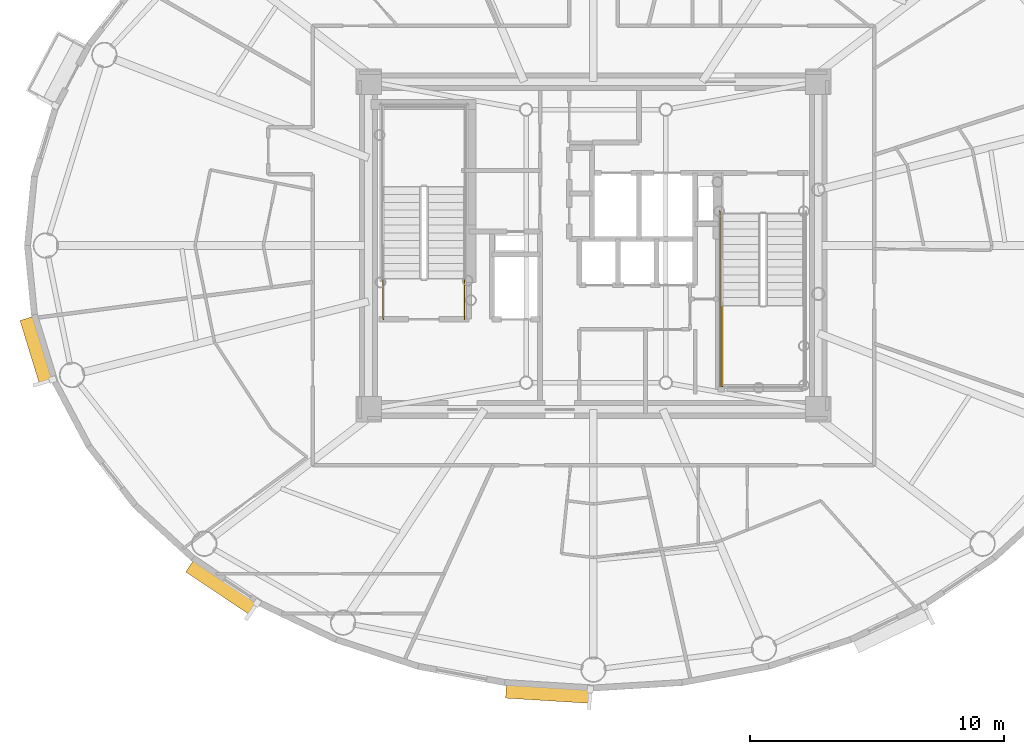
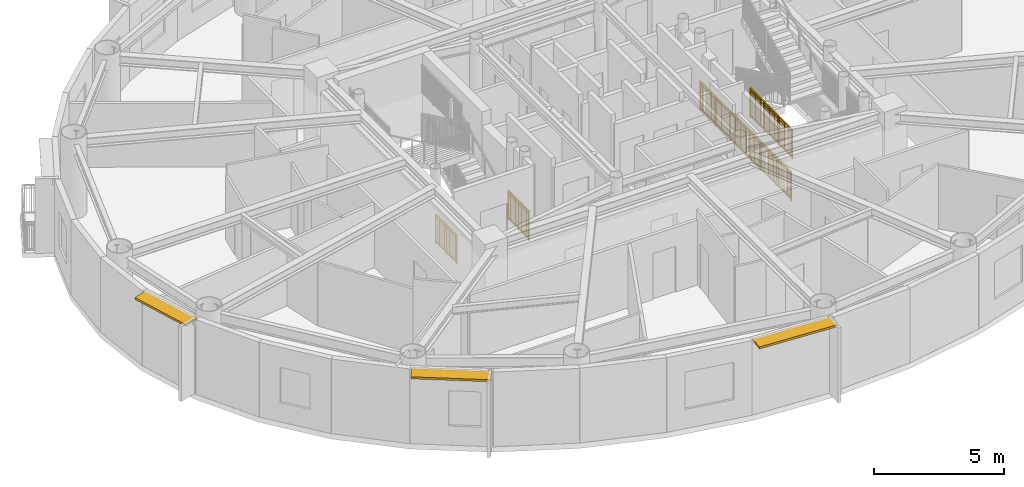
# One storey, part 10 of 17: 4 railings, 3 shading devices.
"""IFC4 building model written with IfcOpenShell, lengths in metres."""

from ifc_helpers import new_model, si_unit, direction, frame, origin, origin_2d, place, context, subcontext, project, spatial, rectangle, extrude, source, transform, mapped, material, layer, layer_set, type_object, element, save


model = new_model("IFC4")

# Units and contexts
model_context = context("Model", 3, precision=1e-05, world=origin(), true_north=direction((0.0, 1.0)))
body_context = subcontext(model_context, "Body", "Model", "MODEL_VIEW")
ifc_project = project(units=[si_unit("LENGTHUNIT", "METRE"), si_unit("AREAUNIT", "SQUARE_METRE"), si_unit("VOLUMEUNIT", "CUBIC_METRE"), si_unit("PLANEANGLEUNIT", "RADIAN"), si_unit("MASSUNIT", "GRAM", prefix="KILO")], contexts=[model_context])

# Site, building, storey
site_placement = place(None, origin())
site = spatial("IfcSite", under=ifc_project, at=site_placement, CompositionType="ELEMENT")
building_placement = place(site_placement, origin())
building = spatial("IfcBuilding", under=site, at=building_placement, Name="Linh Dai School and Residence Tower", CompositionType="ELEMENT")
storey_placement = place(building_placement, frame((0.0, 0.0, 303.0)))
storey = spatial("IfcBuildingStorey", under=building, at=storey_placement, Name="L75", CompositionType="ELEMENT", Elevation=303.0)

# Shading devices
ifc_material_1 = material(Name="Terracotta Ceramic Sunshade", Category="masonry")
ifc_layer = layer(ifc_material_1, 0.10009765625)
ifc_layer_set = layer_set([ifc_layer], Name="Terracotta Ceramic Sunshade")
shading_device_type = type_object("IfcShadingDeviceType", Name="SHD-TC-650", PredefinedType="USERDEFINED", material=ifc_layer_set)
shared_shape_1 = source(origin(), body_context, "Body", "SweptSolid", [
    extrude(rectangle(XDim=2.6640625, YDim=0.64990234375, at=origin_2d()), origin(), (0.0, 0.0, 1.0), 0.10009765625),
])
shading_device_1_placement = place(storey_placement, frame((14.132568359375, 22.870849609375, 3.3798828125), z_axis=(0.0, 0.0, 1.0), x_axis=(-0.293140945944, 0.956069236934, 0.0)))
element("IfcShadingDevice", 1, at=shading_device_1_placement, inside=storey, type_object=shading_device_type, Name="L75 Terracotta Horizontal Sunshade Band 22", ObjectType="SUNSHADE", PredefinedType="USERDEFINED", context=body_context, shape_type="MappedRepresentation", body=[
    mapped(shared_shape_1, transform((0.0, 0.0, 0.0), x_axis=(1.0, 0.0, 0.0), y_axis=(0.0, 1.0, 0.0), z_axis=(0.0, 0.0, 1.0), scale=1.0)),
])
shared_shape_2 = source(origin(), body_context, "Body", "SweptSolid", [
    extrude(rectangle(XDim=3.069091796875, YDim=0.64990234375, at=origin_2d()), origin(), (0.0, 0.0, 1.0), 0.10009765625),
])
shading_device_2_placement = place(storey_placement, frame((21.408203125, 13.5703125, 3.3798828125), z_axis=(0.0, 0.0, 1.0), x_axis=(-0.831245318631, 0.555905765624, 0.0)))
element("IfcShadingDevice", 2, at=shading_device_2_placement, inside=storey, type_object=shading_device_type, Name="L75 Terracotta Horizontal Sunshade Band 26", ObjectType="SUNSHADE", PredefinedType="USERDEFINED", context=body_context, shape_type="MappedRepresentation", body=[
    mapped(shared_shape_2, transform((0.0, 0.0, 0.0), x_axis=(1.0, 0.0, 0.0), y_axis=(0.0, 1.0, 0.0), z_axis=(0.0, 0.0, 1.0), scale=1.0)),
])
shared_shape_3 = source(origin(), body_context, "Body", "SweptSolid", [
    extrude(rectangle(XDim=3.355712890625, YDim=0.64990234375, at=origin_2d()), origin(), (0.0, 0.0, 1.0), 0.10009765625),
])
shading_device_3_placement = place(storey_placement, frame((34.238037109375, 9.407958984375, 3.3798828125), z_axis=(0.0, 0.0, 1.0), x_axis=(-0.998106469364, 0.061509965157, 0.0)))
element("IfcShadingDevice", 3, at=shading_device_3_placement, inside=storey, type_object=shading_device_type, Name="L75 Terracotta Horizontal Sunshade Band 30", ObjectType="SUNSHADE", PredefinedType="USERDEFINED", context=body_context, shape_type="MappedRepresentation", body=[
    mapped(shared_shape_3, transform((0.0, 0.0, 0.0), x_axis=(1.0, 0.0, 0.0), y_axis=(0.0, 1.0, 0.0), z_axis=(0.0, 0.0, 1.0), scale=1.0)),
])

# Railings
ifc_material_2 = material(Name="Structural Steel S355JR", Category="steel")
railing_type = type_object("IfcRailingType", Name="RL-ST-GUARD-1400", PredefinedType="GUARDRAIL", material=ifc_material_2)
shared_shape_4 = source(origin(), body_context, "Body", "SweptSolid", [
    extrude(rectangle(XDim=0.048095703125, YDim=0.048095703125, at=origin_2d()), frame((0.0, 0.0, 1.3759765625), z_axis=(0.0, 1.0, 0.0), x_axis=(-1.0, 0.0, 0.0)), (0.0, 0.0, 1.0), 1.599853515625),
    extrude(rectangle(XDim=0.048095703125, YDim=0.048095703125, at=origin_2d()), frame((0.0, 0.0, 0.10009765625), z_axis=(0.0, 1.0, 0.0), x_axis=(-1.0, 0.0, 0.0)), (0.0, 0.0, 1.0), 1.599853515625),
    extrude(rectangle(XDim=0.030029296875, YDim=0.030029296875, at=origin_2d()), frame((0.0, 0.0, 1.239990234375), z_axis=(0.0, 1.0, 0.0), x_axis=(-1.0, 0.0, 0.0)), (0.0, 0.0, 1.0), 1.599853515625),
    extrude(rectangle(XDim=0.02001953125, YDim=0.02001953125, at=origin_2d()), frame((0.0, 0.093994140625, 0.10009765625)), (0.0, 0.0, 1.0), 1.251708984375),
    extrude(rectangle(XDim=0.02001953125, YDim=0.02001953125, at=origin_2d()), frame((0.0, 0.188232421875, 0.10009765625)), (0.0, 0.0, 1.0), 1.251708984375),
    extrude(rectangle(XDim=0.02001953125, YDim=0.02001953125, at=origin_2d()), frame((0.0, 0.2822265625, 0.10009765625)), (0.0, 0.0, 1.0), 1.251708984375),
    extrude(rectangle(XDim=0.02001953125, YDim=0.02001953125, at=origin_2d()), frame((0.0, 0.37646484375, 0.10009765625)), (0.0, 0.0, 1.0), 1.251708984375),
    extrude(rectangle(XDim=0.02001953125, YDim=0.02001953125, at=origin_2d()), frame((0.0, 0.470458984375, 0.10009765625)), (0.0, 0.0, 1.0), 1.251708984375),
    extrude(rectangle(XDim=0.02001953125, YDim=0.02001953125, at=origin_2d()), frame((0.0, 0.564697265625, 0.10009765625)), (0.0, 0.0, 1.0), 1.251708984375),
    extrude(rectangle(XDim=0.02001953125, YDim=0.02001953125, at=origin_2d()), frame((0.0, 0.65869140625, 0.10009765625)), (0.0, 0.0, 1.0), 1.251708984375),
    extrude(rectangle(XDim=0.02001953125, YDim=0.02001953125, at=origin_2d()), frame((0.0, 0.7529296875, 0.10009765625)), (0.0, 0.0, 1.0), 1.251708984375),
    extrude(rectangle(XDim=0.02001953125, YDim=0.02001953125, at=origin_2d()), frame((0.0, 0.846923828125, 0.10009765625)), (0.0, 0.0, 1.0), 1.251708984375),
    extrude(rectangle(XDim=0.02001953125, YDim=0.02001953125, at=origin_2d()), frame((0.0, 0.941162109375, 0.10009765625)), (0.0, 0.0, 1.0), 1.251708984375),
    extrude(rectangle(XDim=0.02001953125, YDim=0.02001953125, at=origin_2d()), frame((0.0, 1.03515625, 0.10009765625)), (0.0, 0.0, 1.0), 1.251708984375),
    extrude(rectangle(XDim=0.02001953125, YDim=0.02001953125, at=origin_2d()), frame((0.0, 1.12939453125, 0.10009765625)), (0.0, 0.0, 1.0), 1.251708984375),
    extrude(rectangle(XDim=0.02001953125, YDim=0.02001953125, at=origin_2d()), frame((0.0, 1.223388671875, 0.10009765625)), (0.0, 0.0, 1.0), 1.251708984375),
    extrude(rectangle(XDim=0.02001953125, YDim=0.02001953125, at=origin_2d()), frame((0.0, 1.317626953125, 0.10009765625)), (0.0, 0.0, 1.0), 1.251708984375),
    extrude(rectangle(XDim=0.02001953125, YDim=0.02001953125, at=origin_2d()), frame((0.0, 1.41162109375, 0.10009765625)), (0.0, 0.0, 1.0), 1.251708984375),
    extrude(rectangle(XDim=0.02001953125, YDim=0.02001953125, at=origin_2d()), frame((0.0, 1.505859375, 0.10009765625)), (0.0, 0.0, 1.0), 1.251708984375),
    extrude(rectangle(XDim=0.0419921875, YDim=0.0419921875, at=origin_2d()), origin(), (0.0, 0.0, 1.0), 1.3759765625),
    extrude(rectangle(XDim=0.0419921875, YDim=0.0419921875, at=origin_2d()), frame((0.0, 0.7998046875, 0.0)), (0.0, 0.0, 1.0), 1.3759765625),
    extrude(rectangle(XDim=0.0419921875, YDim=0.0419921875, at=origin_2d()), frame((0.0, 1.599853515625, 0.0)), (0.0, 0.0, 1.0), 1.3759765625),
])
for number, where, name in (
    (4, (30.929931640625, 24.10009765625, 0.0), "L75 ST1 stair guard 8"),
    (5, (27.72998046875, 24.10009765625, 0.0), "L75 ST1 stair guard 9"),
):
    element("IfcRailing", number, at=place(storey_placement, frame(where)), inside=storey, type_object=railing_type, Name=name, PredefinedType="GUARDRAIL", context=body_context, shape_type="MappedRepresentation", body=[
        mapped(shared_shape_4, transform((0.0, 0.0, 0.0), x_axis=(1.0, 0.0, 0.0), y_axis=(0.0, 1.0, 0.0), z_axis=(0.0, 0.0, 1.0), scale=1.0)),
    ])
shared_shape_5 = source(origin(), body_context, "Body", "SweptSolid", [
    extrude(rectangle(XDim=0.048095703125, YDim=0.048095703125, at=origin_2d()), frame((0.0, 0.0, 1.3759765625), z_axis=(0.0, -1.0, 0.0), x_axis=(1.0, 0.0, 0.0)), (0.0, 0.0, 1.0), 7.0),
    extrude(rectangle(XDim=0.048095703125, YDim=0.048095703125, at=origin_2d()), frame((0.0, 0.0, 0.10009765625), z_axis=(0.0, -1.0, 0.0), x_axis=(1.0, 0.0, 0.0)), (0.0, 0.0, 1.0), 7.0),
    extrude(rectangle(XDim=0.030029296875, YDim=0.030029296875, at=origin_2d()), frame((0.0, 0.0, 1.239990234375), z_axis=(0.0, -1.0, 0.0), x_axis=(1.0, 0.0, 0.0)), (0.0, 0.0, 1.0), 7.0),
    extrude(rectangle(XDim=0.02001953125, YDim=0.02001953125, at=origin_2d()), frame((0.0, -0.09716796875, 0.10009765625)), (0.0, 0.0, 1.0), 1.251708984375),
    extrude(rectangle(XDim=0.02001953125, YDim=0.02001953125, at=origin_2d()), frame((0.0, -0.1943359375, 0.10009765625)), (0.0, 0.0, 1.0), 1.251708984375),
    extrude(rectangle(XDim=0.02001953125, YDim=0.02001953125, at=origin_2d()), frame((0.0, -0.291748046875, 0.10009765625)), (0.0, 0.0, 1.0), 1.251708984375),
    extrude(rectangle(XDim=0.02001953125, YDim=0.02001953125, at=origin_2d()), frame((0.0, -0.388916015625, 0.10009765625)), (0.0, 0.0, 1.0), 1.251708984375),
    extrude(rectangle(XDim=0.02001953125, YDim=0.02001953125, at=origin_2d()), frame((0.0, -0.486083984375, 0.10009765625)), (0.0, 0.0, 1.0), 1.251708984375),
    extrude(rectangle(XDim=0.02001953125, YDim=0.02001953125, at=origin_2d()), frame((0.0, -0.583251953125, 0.10009765625)), (0.0, 0.0, 1.0), 1.251708984375),
    extrude(rectangle(XDim=0.02001953125, YDim=0.02001953125, at=origin_2d()), frame((0.0, -0.6806640625, 0.10009765625)), (0.0, 0.0, 1.0), 1.251708984375),
    extrude(rectangle(XDim=0.02001953125, YDim=0.02001953125, at=origin_2d()), frame((0.0, -0.77783203125, 0.10009765625)), (0.0, 0.0, 1.0), 1.251708984375),
    extrude(rectangle(XDim=0.02001953125, YDim=0.02001953125, at=origin_2d()), frame((0.0, -0.875, 0.10009765625)), (0.0, 0.0, 1.0), 1.251708984375),
    extrude(rectangle(XDim=0.02001953125, YDim=0.02001953125, at=origin_2d()), frame((0.0, -0.97216796875, 0.10009765625)), (0.0, 0.0, 1.0), 1.251708984375),
    extrude(rectangle(XDim=0.02001953125, YDim=0.02001953125, at=origin_2d()), frame((0.0, -1.0693359375, 0.10009765625)), (0.0, 0.0, 1.0), 1.251708984375),
    extrude(rectangle(XDim=0.02001953125, YDim=0.02001953125, at=origin_2d()), frame((0.0, -1.263916015625, 0.10009765625)), (0.0, 0.0, 1.0), 1.251708984375),
    extrude(rectangle(XDim=0.02001953125, YDim=0.02001953125, at=origin_2d()), frame((0.0, -1.361083984375, 0.10009765625)), (0.0, 0.0, 1.0), 1.251708984375),
    extrude(rectangle(XDim=0.02001953125, YDim=0.02001953125, at=origin_2d()), frame((0.0, -1.458251953125, 0.10009765625)), (0.0, 0.0, 1.0), 1.251708984375),
    extrude(rectangle(XDim=0.02001953125, YDim=0.02001953125, at=origin_2d()), frame((0.0, -1.5556640625, 0.10009765625)), (0.0, 0.0, 1.0), 1.251708984375),
    extrude(rectangle(XDim=0.02001953125, YDim=0.02001953125, at=origin_2d()), frame((0.0, -1.65283203125, 0.10009765625)), (0.0, 0.0, 1.0), 1.251708984375),
    extrude(rectangle(XDim=0.02001953125, YDim=0.02001953125, at=origin_2d()), frame((0.0, -1.75, 0.10009765625)), (0.0, 0.0, 1.0), 1.251708984375),
    extrude(rectangle(XDim=0.02001953125, YDim=0.02001953125, at=origin_2d()), frame((0.0, -1.84716796875, 0.10009765625)), (0.0, 0.0, 1.0), 1.251708984375),
    extrude(rectangle(XDim=0.02001953125, YDim=0.02001953125, at=origin_2d()), frame((0.0, -1.9443359375, 0.10009765625)), (0.0, 0.0, 1.0), 1.251708984375),
    extrude(rectangle(XDim=0.02001953125, YDim=0.02001953125, at=origin_2d()), frame((0.0, -2.041748046875, 0.10009765625)), (0.0, 0.0, 1.0), 1.251708984375),
    extrude(rectangle(XDim=0.02001953125, YDim=0.02001953125, at=origin_2d()), frame((0.0, -2.138916015625, 0.10009765625)), (0.0, 0.0, 1.0), 1.251708984375),
    extrude(rectangle(XDim=0.02001953125, YDim=0.02001953125, at=origin_2d()), frame((0.0, -2.236083984375, 0.10009765625)), (0.0, 0.0, 1.0), 1.251708984375),
    extrude(rectangle(XDim=0.02001953125, YDim=0.02001953125, at=origin_2d()), frame((0.0, -2.4306640625, 0.10009765625)), (0.0, 0.0, 1.0), 1.251708984375),
    extrude(rectangle(XDim=0.02001953125, YDim=0.02001953125, at=origin_2d()), frame((0.0, -2.52783203125, 0.10009765625)), (0.0, 0.0, 1.0), 1.251708984375),
    extrude(rectangle(XDim=0.02001953125, YDim=0.02001953125, at=origin_2d()), frame((0.0, -2.625, 0.10009765625)), (0.0, 0.0, 1.0), 1.251708984375),
    extrude(rectangle(XDim=0.02001953125, YDim=0.02001953125, at=origin_2d()), frame((0.0, -2.72216796875, 0.10009765625)), (0.0, 0.0, 1.0), 1.251708984375),
    extrude(rectangle(XDim=0.02001953125, YDim=0.02001953125, at=origin_2d()), frame((0.0, -2.8193359375, 0.10009765625)), (0.0, 0.0, 1.0), 1.251708984375),
    extrude(rectangle(XDim=0.02001953125, YDim=0.02001953125, at=origin_2d()), frame((0.0, -2.916748046875, 0.10009765625)), (0.0, 0.0, 1.0), 1.251708984375),
    extrude(rectangle(XDim=0.02001953125, YDim=0.02001953125, at=origin_2d()), frame((0.0, -3.013916015625, 0.10009765625)), (0.0, 0.0, 1.0), 1.251708984375),
    extrude(rectangle(XDim=0.02001953125, YDim=0.02001953125, at=origin_2d()), frame((0.0, -3.111083984375, 0.10009765625)), (0.0, 0.0, 1.0), 1.251708984375),
    extrude(rectangle(XDim=0.02001953125, YDim=0.02001953125, at=origin_2d()), frame((0.0, -3.208251953125, 0.10009765625)), (0.0, 0.0, 1.0), 1.251708984375),
    extrude(rectangle(XDim=0.02001953125, YDim=0.02001953125, at=origin_2d()), frame((0.0, -3.3056640625, 0.10009765625)), (0.0, 0.0, 1.0), 1.251708984375),
    extrude(rectangle(XDim=0.02001953125, YDim=0.02001953125, at=origin_2d()), frame((0.0, -3.40283203125, 0.10009765625)), (0.0, 0.0, 1.0), 1.251708984375),
    extrude(rectangle(XDim=0.02001953125, YDim=0.02001953125, at=origin_2d()), frame((0.0, -3.59716796875, 0.10009765625)), (0.0, 0.0, 1.0), 1.251708984375),
    extrude(rectangle(XDim=0.02001953125, YDim=0.02001953125, at=origin_2d()), frame((0.0, -3.6943359375, 0.10009765625)), (0.0, 0.0, 1.0), 1.251708984375),
    extrude(rectangle(XDim=0.02001953125, YDim=0.02001953125, at=origin_2d()), frame((0.0, -3.791748046875, 0.10009765625)), (0.0, 0.0, 1.0), 1.251708984375),
    extrude(rectangle(XDim=0.02001953125, YDim=0.02001953125, at=origin_2d()), frame((0.0, -3.888916015625, 0.10009765625)), (0.0, 0.0, 1.0), 1.251708984375),
    extrude(rectangle(XDim=0.02001953125, YDim=0.02001953125, at=origin_2d()), frame((0.0, -3.986083984375, 0.10009765625)), (0.0, 0.0, 1.0), 1.251708984375),
    extrude(rectangle(XDim=0.02001953125, YDim=0.02001953125, at=origin_2d()), frame((0.0, -4.083251953125, 0.10009765625)), (0.0, 0.0, 1.0), 1.251708984375),
    extrude(rectangle(XDim=0.02001953125, YDim=0.02001953125, at=origin_2d()), frame((0.0, -4.1806640625, 0.10009765625)), (0.0, 0.0, 1.0), 1.251708984375),
    extrude(rectangle(XDim=0.02001953125, YDim=0.02001953125, at=origin_2d()), frame((0.0, -4.27783203125, 0.10009765625)), (0.0, 0.0, 1.0), 1.251708984375),
    extrude(rectangle(XDim=0.02001953125, YDim=0.02001953125, at=origin_2d()), frame((0.0, -4.375, 0.10009765625)), (0.0, 0.0, 1.0), 1.251708984375),
    extrude(rectangle(XDim=0.02001953125, YDim=0.02001953125, at=origin_2d()), frame((0.0, -4.47216796875, 0.10009765625)), (0.0, 0.0, 1.0), 1.251708984375),
    extrude(rectangle(XDim=0.02001953125, YDim=0.02001953125, at=origin_2d()), frame((0.0, -4.5693359375, 0.10009765625)), (0.0, 0.0, 1.0), 1.251708984375),
    extrude(rectangle(XDim=0.02001953125, YDim=0.02001953125, at=origin_2d()), frame((0.0, -4.763916015625, 0.10009765625)), (0.0, 0.0, 1.0), 1.251708984375),
    extrude(rectangle(XDim=0.02001953125, YDim=0.02001953125, at=origin_2d()), frame((0.0, -4.861083984375, 0.10009765625)), (0.0, 0.0, 1.0), 1.251708984375),
    extrude(rectangle(XDim=0.02001953125, YDim=0.02001953125, at=origin_2d()), frame((0.0, -4.958251953125, 0.10009765625)), (0.0, 0.0, 1.0), 1.251708984375),
    extrude(rectangle(XDim=0.02001953125, YDim=0.02001953125, at=origin_2d()), frame((0.0, -5.0556640625, 0.10009765625)), (0.0, 0.0, 1.0), 1.251708984375),
    extrude(rectangle(XDim=0.02001953125, YDim=0.02001953125, at=origin_2d()), frame((0.0, -5.15283203125, 0.10009765625)), (0.0, 0.0, 1.0), 1.251708984375),
    extrude(rectangle(XDim=0.02001953125, YDim=0.02001953125, at=origin_2d()), frame((0.0, -5.25, 0.10009765625)), (0.0, 0.0, 1.0), 1.251708984375),
    extrude(rectangle(XDim=0.02001953125, YDim=0.02001953125, at=origin_2d()), frame((0.0, -5.34716796875, 0.10009765625)), (0.0, 0.0, 1.0), 1.251708984375),
    extrude(rectangle(XDim=0.02001953125, YDim=0.02001953125, at=origin_2d()), frame((0.0, -5.4443359375, 0.10009765625)), (0.0, 0.0, 1.0), 1.251708984375),
    extrude(rectangle(XDim=0.02001953125, YDim=0.02001953125, at=origin_2d()), frame((0.0, -5.541748046875, 0.10009765625)), (0.0, 0.0, 1.0), 1.251708984375),
    extrude(rectangle(XDim=0.02001953125, YDim=0.02001953125, at=origin_2d()), frame((0.0, -5.638916015625, 0.10009765625)), (0.0, 0.0, 1.0), 1.251708984375),
    extrude(rectangle(XDim=0.02001953125, YDim=0.02001953125, at=origin_2d()), frame((0.0, -5.736083984375, 0.10009765625)), (0.0, 0.0, 1.0), 1.251708984375),
    extrude(rectangle(XDim=0.02001953125, YDim=0.02001953125, at=origin_2d()), frame((0.0, -5.9306640625, 0.10009765625)), (0.0, 0.0, 1.0), 1.251708984375),
    extrude(rectangle(XDim=0.02001953125, YDim=0.02001953125, at=origin_2d()), frame((0.0, -6.02783203125, 0.10009765625)), (0.0, 0.0, 1.0), 1.251708984375),
    extrude(rectangle(XDim=0.02001953125, YDim=0.02001953125, at=origin_2d()), frame((0.0, -6.125, 0.10009765625)), (0.0, 0.0, 1.0), 1.251708984375),
    extrude(rectangle(XDim=0.02001953125, YDim=0.02001953125, at=origin_2d()), frame((0.0, -6.22216796875, 0.10009765625)), (0.0, 0.0, 1.0), 1.251708984375),
    extrude(rectangle(XDim=0.02001953125, YDim=0.02001953125, at=origin_2d()), frame((0.0, -6.3193359375, 0.10009765625)), (0.0, 0.0, 1.0), 1.251708984375),
    extrude(rectangle(XDim=0.02001953125, YDim=0.02001953125, at=origin_2d()), frame((0.0, -6.416748046875, 0.10009765625)), (0.0, 0.0, 1.0), 1.251708984375),
    extrude(rectangle(XDim=0.02001953125, YDim=0.02001953125, at=origin_2d()), frame((0.0, -6.513916015625, 0.10009765625)), (0.0, 0.0, 1.0), 1.251708984375),
    extrude(rectangle(XDim=0.02001953125, YDim=0.02001953125, at=origin_2d()), frame((0.0, -6.611083984375, 0.10009765625)), (0.0, 0.0, 1.0), 1.251708984375),
    extrude(rectangle(XDim=0.02001953125, YDim=0.02001953125, at=origin_2d()), frame((0.0, -6.708251953125, 0.10009765625)), (0.0, 0.0, 1.0), 1.251708984375),
    extrude(rectangle(XDim=0.02001953125, YDim=0.02001953125, at=origin_2d()), frame((0.0, -6.8056640625, 0.10009765625)), (0.0, 0.0, 1.0), 1.251708984375),
    extrude(rectangle(XDim=0.02001953125, YDim=0.02001953125, at=origin_2d()), frame((0.0, -6.90283203125, 0.10009765625)), (0.0, 0.0, 1.0), 1.251708984375),
    extrude(rectangle(XDim=0.0419921875, YDim=0.0419921875, at=origin_2d()), origin(), (0.0, 0.0, 1.0), 1.3759765625),
    extrude(rectangle(XDim=0.0419921875, YDim=0.0419921875, at=origin_2d()), frame((0.0, -1.166748046875, 0.0)), (0.0, 0.0, 1.0), 1.3759765625),
    extrude(rectangle(XDim=0.0419921875, YDim=0.0419921875, at=origin_2d()), frame((0.0, -2.333251953125, 0.0)), (0.0, 0.0, 1.0), 1.3759765625),
    extrude(rectangle(XDim=0.0419921875, YDim=0.0419921875, at=origin_2d()), frame((0.0, -3.5, 0.0)), (0.0, 0.0, 1.0), 1.3759765625),
    extrude(rectangle(XDim=0.0419921875, YDim=0.0419921875, at=origin_2d()), frame((0.0, -4.666748046875, 0.0)), (0.0, 0.0, 1.0), 1.3759765625),
    extrude(rectangle(XDim=0.0419921875, YDim=0.0419921875, at=origin_2d()), frame((0.0, -5.833251953125, 0.0)), (0.0, 0.0, 1.0), 1.3759765625),
    extrude(rectangle(XDim=0.0419921875, YDim=0.0419921875, at=origin_2d()), frame((0.0, -7.0, 0.0)), (0.0, 0.0, 1.0), 1.3759765625),
])
railing_1_placement = place(storey_placement, frame((40.969970703125, 28.35009765625, 0.0)))
element("IfcRailing", 6, at=railing_1_placement, inside=storey, type_object=railing_type, Name="L75 ST2 stair guard 10", PredefinedType="GUARDRAIL", context=body_context, shape_type="MappedRepresentation", body=[
    mapped(shared_shape_5, transform((0.0, 0.0, 0.0), x_axis=(1.0, 0.0, 0.0), y_axis=(0.0, 1.0, 0.0), z_axis=(0.0, 0.0, 1.0), scale=1.0)),
])
shared_shape_6 = source(origin(), body_context, "Body", "SweptSolid", [
    extrude(rectangle(XDim=0.048095703125, YDim=0.048095703125, at=origin_2d()), frame((0.0, 0.0, 1.3759765625), z_axis=(0.0, -1.0, 0.0), x_axis=(1.0, 0.0, 0.0)), (0.0, 0.0, 1.0), 3.199951171875),
    extrude(rectangle(XDim=0.048095703125, YDim=0.048095703125, at=origin_2d()), frame((0.0, 0.0, 0.10009765625), z_axis=(0.0, -1.0, 0.0), x_axis=(1.0, 0.0, 0.0)), (0.0, 0.0, 1.0), 3.199951171875),
    extrude(rectangle(XDim=0.030029296875, YDim=0.030029296875, at=origin_2d()), frame((0.0, 0.0, 1.239990234375), z_axis=(0.0, -1.0, 0.0), x_axis=(1.0, 0.0, 0.0)), (0.0, 0.0, 1.0), 3.199951171875),
    extrude(rectangle(XDim=0.02001953125, YDim=0.02001953125, at=origin_2d()), frame((0.0, -0.096923828125, 0.10009765625)), (0.0, 0.0, 1.0), 1.251708984375),
    extrude(rectangle(XDim=0.02001953125, YDim=0.02001953125, at=origin_2d()), frame((0.0, -0.19384765625, 0.10009765625)), (0.0, 0.0, 1.0), 1.251708984375),
    extrude(rectangle(XDim=0.02001953125, YDim=0.02001953125, at=origin_2d()), frame((0.0, -0.291015625, 0.10009765625)), (0.0, 0.0, 1.0), 1.251708984375),
    extrude(rectangle(XDim=0.02001953125, YDim=0.02001953125, at=origin_2d()), frame((0.0, -0.387939453125, 0.10009765625)), (0.0, 0.0, 1.0), 1.251708984375),
    extrude(rectangle(XDim=0.02001953125, YDim=0.02001953125, at=origin_2d()), frame((0.0, -0.48486328125, 0.10009765625)), (0.0, 0.0, 1.0), 1.251708984375),
    extrude(rectangle(XDim=0.02001953125, YDim=0.02001953125, at=origin_2d()), frame((0.0, -0.581787109375, 0.10009765625)), (0.0, 0.0, 1.0), 1.251708984375),
    extrude(rectangle(XDim=0.02001953125, YDim=0.02001953125, at=origin_2d()), frame((0.0, -0.6787109375, 0.10009765625)), (0.0, 0.0, 1.0), 1.251708984375),
    extrude(rectangle(XDim=0.02001953125, YDim=0.02001953125, at=origin_2d()), frame((0.0, -0.775634765625, 0.10009765625)), (0.0, 0.0, 1.0), 1.251708984375),
    extrude(rectangle(XDim=0.02001953125, YDim=0.02001953125, at=origin_2d()), frame((0.0, -0.872802734375, 0.10009765625)), (0.0, 0.0, 1.0), 1.251708984375),
    extrude(rectangle(XDim=0.02001953125, YDim=0.02001953125, at=origin_2d()), frame((0.0, -0.9697265625, 0.10009765625)), (0.0, 0.0, 1.0), 1.251708984375),
    extrude(rectangle(XDim=0.02001953125, YDim=0.02001953125, at=origin_2d()), frame((0.0, -1.16357421875, 0.10009765625)), (0.0, 0.0, 1.0), 1.251708984375),
    extrude(rectangle(XDim=0.02001953125, YDim=0.02001953125, at=origin_2d()), frame((0.0, -1.260498046875, 0.10009765625)), (0.0, 0.0, 1.0), 1.251708984375),
    extrude(rectangle(XDim=0.02001953125, YDim=0.02001953125, at=origin_2d()), frame((0.0, -1.357666015625, 0.10009765625)), (0.0, 0.0, 1.0), 1.251708984375),
    extrude(rectangle(XDim=0.02001953125, YDim=0.02001953125, at=origin_2d()), frame((0.0, -1.45458984375, 0.10009765625)), (0.0, 0.0, 1.0), 1.251708984375),
    extrude(rectangle(XDim=0.02001953125, YDim=0.02001953125, at=origin_2d()), frame((0.0, -1.551513671875, 0.10009765625)), (0.0, 0.0, 1.0), 1.251708984375),
    extrude(rectangle(XDim=0.02001953125, YDim=0.02001953125, at=origin_2d()), frame((0.0, -1.6484375, 0.10009765625)), (0.0, 0.0, 1.0), 1.251708984375),
    extrude(rectangle(XDim=0.02001953125, YDim=0.02001953125, at=origin_2d()), frame((0.0, -1.745361328125, 0.10009765625)), (0.0, 0.0, 1.0), 1.251708984375),
    extrude(rectangle(XDim=0.02001953125, YDim=0.02001953125, at=origin_2d()), frame((0.0, -1.84228515625, 0.10009765625)), (0.0, 0.0, 1.0), 1.251708984375),
    extrude(rectangle(XDim=0.02001953125, YDim=0.02001953125, at=origin_2d()), frame((0.0, -1.939453125, 0.10009765625)), (0.0, 0.0, 1.0), 1.251708984375),
    extrude(rectangle(XDim=0.02001953125, YDim=0.02001953125, at=origin_2d()), frame((0.0, -2.036376953125, 0.10009765625)), (0.0, 0.0, 1.0), 1.251708984375),
    extrude(rectangle(XDim=0.02001953125, YDim=0.02001953125, at=origin_2d()), frame((0.0, -2.230224609375, 0.10009765625)), (0.0, 0.0, 1.0), 1.251708984375),
    extrude(rectangle(XDim=0.02001953125, YDim=0.02001953125, at=origin_2d()), frame((0.0, -2.3271484375, 0.10009765625)), (0.0, 0.0, 1.0), 1.251708984375),
    extrude(rectangle(XDim=0.02001953125, YDim=0.02001953125, at=origin_2d()), frame((0.0, -2.42431640625, 0.10009765625)), (0.0, 0.0, 1.0), 1.251708984375),
    extrude(rectangle(XDim=0.02001953125, YDim=0.02001953125, at=origin_2d()), frame((0.0, -2.521240234375, 0.10009765625)), (0.0, 0.0, 1.0), 1.251708984375),
    extrude(rectangle(XDim=0.02001953125, YDim=0.02001953125, at=origin_2d()), frame((0.0, -2.6181640625, 0.10009765625)), (0.0, 0.0, 1.0), 1.251708984375),
    extrude(rectangle(XDim=0.02001953125, YDim=0.02001953125, at=origin_2d()), frame((0.0, -2.715087890625, 0.10009765625)), (0.0, 0.0, 1.0), 1.251708984375),
    extrude(rectangle(XDim=0.02001953125, YDim=0.02001953125, at=origin_2d()), frame((0.0, -2.81201171875, 0.10009765625)), (0.0, 0.0, 1.0), 1.251708984375),
    extrude(rectangle(XDim=0.02001953125, YDim=0.02001953125, at=origin_2d()), frame((0.0, -2.908935546875, 0.10009765625)), (0.0, 0.0, 1.0), 1.251708984375),
    extrude(rectangle(XDim=0.02001953125, YDim=0.02001953125, at=origin_2d()), frame((0.0, -3.006103515625, 0.10009765625)), (0.0, 0.0, 1.0), 1.251708984375),
    extrude(rectangle(XDim=0.02001953125, YDim=0.02001953125, at=origin_2d()), frame((0.0, -3.10302734375, 0.10009765625)), (0.0, 0.0, 1.0), 1.251708984375),
    extrude(rectangle(XDim=0.0419921875, YDim=0.0419921875, at=origin_2d()), origin(), (0.0, 0.0, 1.0), 1.3759765625),
    extrude(rectangle(XDim=0.0419921875, YDim=0.0419921875, at=origin_2d()), frame((0.0, -1.066650390625, 0.0)), (0.0, 0.0, 1.0), 1.3759765625),
    extrude(rectangle(XDim=0.0419921875, YDim=0.0419921875, at=origin_2d()), frame((0.0, -2.13330078125, 0.0)), (0.0, 0.0, 1.0), 1.3759765625),
    extrude(rectangle(XDim=0.0419921875, YDim=0.0419921875, at=origin_2d()), frame((0.0, -3.199951171875, 0.0)), (0.0, 0.0, 1.0), 1.3759765625),
])
railing_2_placement = place(storey_placement, frame((41.070068359375, 24.64990234375, 1.875)))
element("IfcRailing", 7, at=railing_2_placement, inside=storey, type_object=railing_type, Name="L75 ST2 stair guard 3", PredefinedType="GUARDRAIL", context=body_context, shape_type="MappedRepresentation", body=[
    mapped(shared_shape_6, transform((0.0, 0.0, 0.0), x_axis=(1.0, 0.0, 0.0), y_axis=(0.0, 1.0, 0.0), z_axis=(0.0, 0.0, 1.0), scale=1.0)),
])

save(model, "model.ifc")
